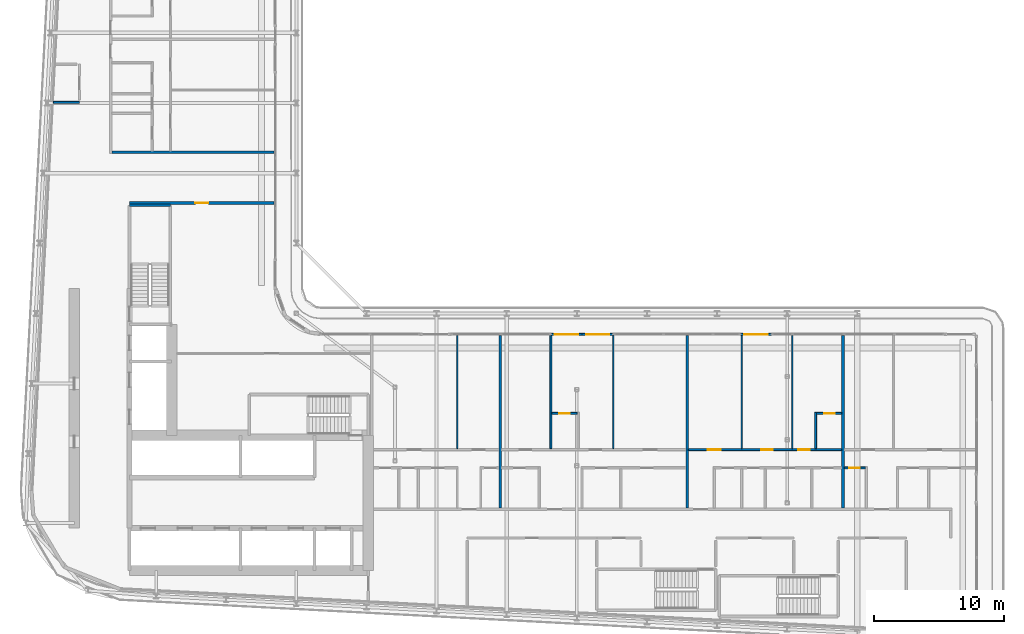
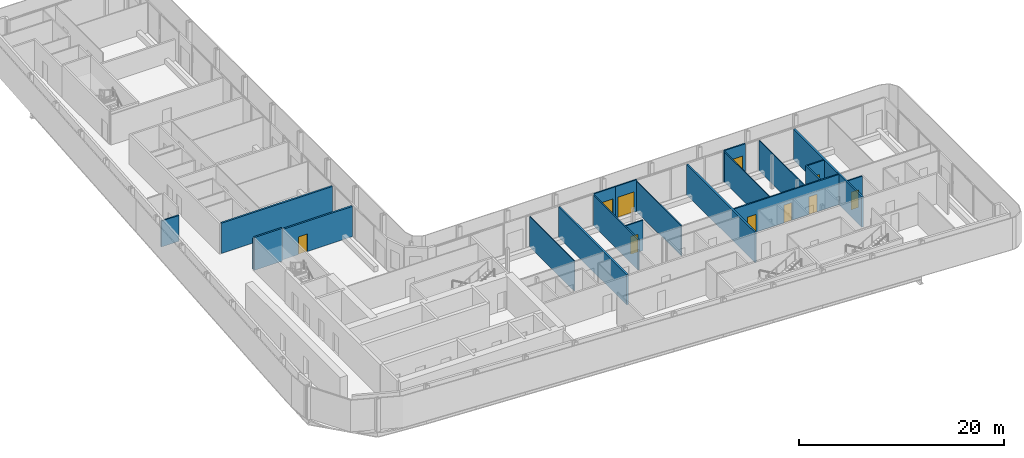
# One storey, part 18 of 29: 20 walls, 10 doors, 10 openings.
"""IFC4 building model written with IfcOpenShell, lengths in metres."""

from ifc_helpers import new_model, si_unit, direction, frame, frame_2d, origin, place, context, subcontext, project, spatial, rectangle, extrude, source, transform, mapped, material, layer, layer_set, type_object, element, fill, save


model = new_model("IFC4")

# Units and contexts
model_context = context("Model", 3, precision=1e-05, world=origin(), true_north=direction((0.0, 1.0)))
body_context = subcontext(model_context, "Body", "Model", "MODEL_VIEW")
ifc_project = project(units=[si_unit("LENGTHUNIT", "METRE"), si_unit("AREAUNIT", "SQUARE_METRE"), si_unit("VOLUMEUNIT", "CUBIC_METRE"), si_unit("PLANEANGLEUNIT", "RADIAN"), si_unit("MASSUNIT", "GRAM", prefix="KILO")], contexts=[model_context])

# Site, building, storey
site_placement = place(None, origin())
site = spatial("IfcSite", under=ifc_project, at=site_placement, CompositionType="ELEMENT")
building_placement = place(site_placement, origin())
building = spatial("IfcBuilding", under=site, at=building_placement, Name="Kheshtan School and Residences Tower", CompositionType="ELEMENT")
storey_placement = place(building_placement, frame((0.0, 0.0, 176.0)))
storey = spatial("IfcBuildingStorey", under=building, at=storey_placement, Name="L41", CompositionType="ELEMENT", Elevation=176.0)

# Wall
ifc_material_1 = material(Name="Gypsum board on steel studs with fire boards", Category="steel")
ifc_layer_1 = layer(ifc_material_1, 0.199951171875)
ifc_layer_set_1 = layer_set([ifc_layer_1], Name="Corridor wall 200")
wall_type_1 = type_object("IfcWallType", Name="Corridor wall 200", PredefinedType="PARTITIONING", material=ifc_layer_set_1)
wall_1_placement = place(storey_placement, frame((33.39990234375, 58.0, 0.0), z_axis=(0.0, 0.0, 1.0), x_axis=(1.0, 0.0, 0.0)))
element("IfcWall", 1, at=wall_1_placement, inside=storey, type_object=wall_type_1, Name="Partition L41-006", PredefinedType="PARTITIONING", context=body_context, shape_type="SweptSolid", body=[
    extrude(rectangle(XDim=12.5, YDim=0.199951171875, at=frame_2d((6.25, 0.0))), origin(), (0.0, 0.0, 1.0), 3.60009765625),
])

# Wall, opening, door
wall_2_placement = place(storey_placement, frame((34.75, 54.10009765625, 0.0), z_axis=(0.0, 0.0, 1.0), x_axis=(1.0, 0.0, 0.0)))
wall_2 = element("IfcWall", 2, at=wall_2_placement, inside=storey, type_object=wall_type_1, Name="Partition L41-017", PredefinedType="PARTITIONING", context=body_context, shape_type="SweptSolid", body=[
    extrude(rectangle(XDim=11.14990234375, YDim=0.199951171875, at=frame_2d((5.574951171875, 0.0))), origin(), (0.0, 0.0, 1.0), 3.60009765625),
])
opening_1_placement = place(wall_2_placement, frame((5.074951171875, 0.0, 0.0)))
opening_1 = element("IfcOpeningElement", 3, at=opening_1_placement, cuts=wall_2, Name="Opening D41-051", PredefinedType="OPENING", context=body_context, shape_type="SweptSolid", body=[
    extrude(rectangle(XDim=1.0, YDim=2.10009765625, at=frame_2d((0.5, 1.050048828125))), frame((0.0, 0.10986328125, 0.0), z_axis=(0.0, -1.0, 0.0), x_axis=(1.0, 0.0, 0.0)), (0.0, 0.0, 1.0), 0.219970703125),
])
ifc_material_2 = material(Name="Steel-framed fire-resisting door leaf", Category="steel")
door_type_1 = type_object("IfcDoorType", Name="Fire door FD60 1000 x 2100", OperationType="SINGLE_SWING_LEFT", PredefinedType="DOOR", material=ifc_material_2)
shared_shape_1 = source(origin(), body_context, "Body", "SweptSolid", [
    extrude(rectangle(XDim=1.0, YDim=2.10009765625, at=frame_2d((0.5, 1.050048828125))), frame((0.0, 0.02490234375, 0.0), z_axis=(0.0, -1.0, 0.0), x_axis=(1.0, 0.0, 0.0)), (0.0, 0.0, 1.0), 0.050048828125),
])
door_1_placement = place(opening_1_placement, origin())
door_1 = element("IfcDoor", 4, at=door_1_placement, inside=storey, type_object=door_type_1, Name="Door D41-051", OperationType="SINGLE_SWING_RIGHT", OverallHeight=2.10009765625, OverallWidth=1.0, PredefinedType="DOOR", context=body_context, shape_type="MappedRepresentation", body=[
    mapped(shared_shape_1, transform((0.0, 0.0, 0.0), x_axis=(1.0, 0.0, 0.0), y_axis=(0.0, 1.0, 0.0), z_axis=(0.0, 0.0, 1.0), scale=1.0)),
])
fill(opening_1, door_1)

ifc_material_3 = material(Name="Aluminium frame wall with insulated infill", Category="aluminium")
ifc_layer_2 = layer(ifc_material_3, 0.14990234375)
ifc_layer_set_2 = layer_set([ifc_layer_2], Name="Glazing frame wall 150")
wall_type_2 = type_object("IfcWallType", Name="Glazing frame wall 150", PredefinedType="SOLIDWALL", material=ifc_layer_set_2)
wall_3_placement = place(storey_placement, frame((67.218017578125, 43.97509765625, 0.0), z_axis=(0.0, 0.0, 1.0), x_axis=(1.0, 0.0, 0.0)))
wall_3 = element("IfcWall", 5, at=wall_3_placement, inside=storey, type_object=wall_type_2, Name="Balcony door wall L41 12.2", PredefinedType="SOLIDWALL", context=body_context, shape_type="SweptSolid", body=[
    extrude(rectangle(XDim=2.39990234375, YDim=0.14990234375, at=frame_2d((1.199951171875, 0.0))), origin(), (0.0, 0.0, 1.0), 3.75),
])
opening_2_placement = place(wall_3_placement, frame((0.300048828125, 0.0, 0.0)))
opening_2 = element("IfcOpeningElement", 6, at=opening_2_placement, cuts=wall_3, Name="Opening BD", PredefinedType="OPENING", context=body_context, shape_type="SweptSolid", body=[
    extrude(rectangle(XDim=1.800048828125, YDim=2.39990234375, at=frame_2d((0.89990234375, 1.199951171875))), frame((0.0, 0.0849609375, 0.0), z_axis=(0.0, -1.0, 0.0), x_axis=(1.0, 0.0, 0.0)), (0.0, 0.0, 1.0), 0.169921875),
])
ifc_material_4 = material(Name="Clear low-e glass in thermally broken aluminium frame", Category="aluminium")
door_type_2 = type_object("IfcDoorType", Name="Balcony sliding door", OperationType="SLIDING_TO_LEFT", PredefinedType="DOOR", material=ifc_material_4)
shared_shape_2 = source(origin(), body_context, "Body", "SweptSolid", [
    extrude(rectangle(XDim=1.800048828125, YDim=2.39990234375, at=frame_2d((0.89990234375, 1.199951171875))), frame((0.0, 0.02490234375, 0.0), z_axis=(0.0, -1.0, 0.0), x_axis=(1.0, 0.0, 0.0)), (0.0, 0.0, 1.0), 0.050048828125),
])
door_2_placement = place(opening_2_placement, origin())
door_2 = element("IfcDoor", 7, at=door_2_placement, inside=storey, type_object=door_type_2, Name="Balcony door L41 12.2", OperationType="SLIDING_TO_LEFT", OverallHeight=2.39990234375, OverallWidth=1.800048828125, PredefinedType="DOOR", context=body_context, shape_type="MappedRepresentation", body=[
    mapped(shared_shape_2, transform((0.0, 0.0, 0.0), x_axis=(1.0, 0.0, 0.0), y_axis=(0.0, 1.0, 0.0), z_axis=(0.0, 0.0, 1.0), scale=1.0)),
])
fill(opening_2, door_2)

wall_4_placement = place(storey_placement, frame((69.617919921875, 43.97509765625, 0.0), z_axis=(0.0, 0.0, 1.0), x_axis=(1.0, 0.0, 0.0)))
wall_4 = element("IfcWall", 8, at=wall_4_placement, inside=storey, type_object=wall_type_2, Name="Balcony door wall L41 12.3", PredefinedType="SOLIDWALL", context=body_context, shape_type="SweptSolid", body=[
    extrude(rectangle(XDim=2.400146484375, YDim=0.14990234375, at=frame_2d((1.2001953125, 0.0))), origin(), (0.0, 0.0, 1.0), 3.75),
])
opening_3_placement = place(wall_4_placement, frame((0.300048828125, 0.0, 0.0)))
opening_3 = element("IfcOpeningElement", 9, at=opening_3_placement, cuts=wall_4, Name="Opening BD", PredefinedType="OPENING", context=body_context, shape_type="SweptSolid", body=[
    extrude(rectangle(XDim=1.800048828125, YDim=2.39990234375, at=frame_2d((0.89990234375, 1.199951171875))), frame((0.0, 0.0849609375, 0.0), z_axis=(0.0, -1.0, 0.0), x_axis=(1.0, 0.0, 0.0)), (0.0, 0.0, 1.0), 0.169921875),
])
door_3_placement = place(opening_3_placement, origin())
door_3 = element("IfcDoor", 10, at=door_3_placement, inside=storey, type_object=door_type_2, Name="Balcony door L41 12.3", OperationType="SLIDING_TO_LEFT", OverallHeight=2.39990234375, OverallWidth=1.800048828125, PredefinedType="DOOR", context=body_context, shape_type="MappedRepresentation", body=[
    mapped(shared_shape_2, transform((0.0, 0.0, 0.0), x_axis=(1.0, 0.0, 0.0), y_axis=(0.0, 1.0, 0.0), z_axis=(0.0, 0.0, 1.0), scale=1.0)),
])
fill(opening_3, door_3)

wall_5_placement = place(storey_placement, frame((81.81201171875, 43.97509765625, 0.0), z_axis=(0.0, 0.0, 1.0), x_axis=(1.0, 0.0, 0.0)))
wall_5 = element("IfcWall", 11, at=wall_5_placement, inside=storey, type_object=wall_type_2, Name="Balcony door wall L41 12.4", PredefinedType="SOLIDWALL", context=body_context, shape_type="SweptSolid", body=[
    extrude(rectangle(XDim=2.39990234375, YDim=0.14990234375, at=frame_2d((1.199951171875, 0.0))), origin(), (0.0, 0.0, 1.0), 3.75),
])
opening_4_placement = place(wall_5_placement, frame((0.300048828125, 0.0, 0.0)))
opening_4 = element("IfcOpeningElement", 12, at=opening_4_placement, cuts=wall_5, Name="Opening BD", PredefinedType="OPENING", context=body_context, shape_type="SweptSolid", body=[
    extrude(rectangle(XDim=1.800048828125, YDim=2.39990234375, at=frame_2d((0.89990234375, 1.199951171875))), frame((0.0, 0.0849609375, 0.0), z_axis=(0.0, -1.0, 0.0), x_axis=(1.0, 0.0, 0.0)), (0.0, 0.0, 1.0), 0.169921875),
])
door_4_placement = place(opening_4_placement, origin())
door_4 = element("IfcDoor", 13, at=door_4_placement, inside=storey, type_object=door_type_2, Name="Balcony door L41 12.4", OperationType="SLIDING_TO_LEFT", OverallHeight=2.39990234375, OverallWidth=1.800048828125, PredefinedType="DOOR", context=body_context, shape_type="MappedRepresentation", body=[
    mapped(shared_shape_2, transform((0.0, 0.0, 0.0), x_axis=(1.0, 0.0, 0.0), y_axis=(0.0, 1.0, 0.0), z_axis=(0.0, 0.0, 1.0), scale=1.0)),
])
fill(opening_4, door_4)

# Walls
ifc_material_5 = material(Name="Gypsum board on steel studs", Category="steel")
ifc_layer_3 = layer(ifc_material_5, 0.10009765625)
ifc_layer_set_3 = layer_set([ifc_layer_3], Name="Gypsum partition 100")
wall_type_3 = type_object("IfcWallType", Name="Gypsum partition 100", PredefinedType="PARTITIONING", material=ifc_layer_set_3)
for number, where, z_axis, x_axis, name in (
    (14, (60.0, 35.175048828125, 0.0), (0.0, 0.0, 1.0), (0.0, 1.0, 0.0), "Partition L41-038"),
    (15, (72.0, 35.175048828125, 0.0), (0.0, 0.0, 1.0), (0.0, 1.0, 0.0), "Partition L41-050"),
    (16, (81.89990234375, 35.175048828125, 0.0), (0.0, 0.0, 1.0), (0.0, 1.0, 0.0), "Partition L41-057"),
    (17, (85.800048828125, 35.175048828125, 0.0), (0.0, 0.0, 1.0), (0.0, 1.0, 0.0), "Partition L41-059"),
):
    element("IfcWall", number, at=place(storey_placement, frame(where, z_axis=z_axis, x_axis=x_axis)), inside=storey, type_object=wall_type_3, Name=name, PredefinedType="PARTITIONING", context=body_context, shape_type="SweptSolid", body=[
        extrude(rectangle(XDim=8.724853515625, YDim=0.10009765625, at=frame_2d((4.3623046875, 0.0))), origin(), (0.0, 0.0, 1.0), 3.60009765625),
    ])
ifc_material_6 = material(Name="Fire-board shaft wall system")
ifc_layer_4 = layer(ifc_material_6, 0.14990234375)
ifc_layer_set_4 = layer_set([ifc_layer_4], Name="Service room wall 150")
wall_type_4 = type_object("IfcWallType", Name="Service room wall 150", PredefinedType="PARTITIONING", material=ifc_layer_set_4)
wall_6_placement = place(storey_placement, frame((28.89501953125, 61.85107421875, 0.0), z_axis=(0.0, 0.0, 1.0), x_axis=(1.0, 0.0, 0.0)))
element("IfcWall", 18, at=wall_6_placement, inside=storey, type_object=wall_type_4, Name="Service room wall", PredefinedType="PARTITIONING", context=body_context, shape_type="SweptSolid", body=[
    extrude(rectangle(XDim=2.0048828125, YDim=0.14990234375, at=frame_2d((1.00244140625, 0.0))), origin(), (0.0, 0.0, 1.0), 3.072021484375),
])
ifc_material_7 = material(Name="Concrete C40/50", Category="concrete")
ifc_layer_5 = layer(ifc_material_7, 0.199951171875)
ifc_layer_set_5 = layer_set([ifc_layer_5], Name="Stair enclosure wall 200 Concrete C40/50")
wall_type_5 = type_object("IfcWallType", Name="Stair enclosure wall 200 Concrete C40/50", PredefinedType="SHEAR", material=ifc_layer_set_5)
wall_7_placement = place(storey_placement, frame((34.75, 53.909912109375, 0.0), z_axis=(0.0, 0.0, 1.0), x_axis=(1.0, 0.0, 0.0)))
element("IfcWall", 19, at=wall_7_placement, inside=storey, type_object=wall_type_5, Name="Stair enclosure wall ST2", PredefinedType="SHEAR", context=body_context, shape_type="SweptSolid", body=[
    extrude(rectangle(XDim=3.14990234375, YDim=0.199951171875, at=frame_2d((1.574951171875, 0.0))), origin(), (0.0, 0.0, 1.0), 3.89990234375),
])
ifc_material_8 = material(Name="Twin gypsum board on steel studs with mineral wool", Category="steel")
ifc_layer_6 = layer(ifc_material_8, 0.199951171875)
ifc_layer_set_6 = layer_set([ifc_layer_6], Name="Unit demising wall 200")
wall_type_6 = type_object("IfcWallType", Name="Unit demising wall 200", PredefinedType="PARTITIONING", material=ifc_layer_set_6)
for number, where, z_axis, x_axis, name in (
    (20, (63.300048828125, 30.60009765625, 0.0), (0.0, 0.0, 1.0), (0.0, 1.0, 0.0), "Partition L41-041"),
    (21, (77.699951171875, 30.60009765625, 0.0), (0.0, 0.0, 1.0), (0.0, 1.0, 0.0), "Partition L41-052"),
    (22, (89.699951171875, 30.60009765625, 0.0), (0.0, 0.0, 1.0), (0.0, 1.0, 0.0), "Partition L41-063"),
):
    element("IfcWall", number, at=place(storey_placement, frame(where, z_axis=z_axis, x_axis=x_axis)), inside=storey, type_object=wall_type_6, Name=name, PredefinedType="PARTITIONING", context=body_context, shape_type="SweptSolid", body=[
        extrude(rectangle(XDim=13.2998046875, YDim=0.199951171875, at=frame_2d((6.64990234375, 0.0))), origin(), (0.0, 0.0, 1.0), 3.60009765625),
    ])
ifc_material_9 = material(Name="Moisture-resistant gypsum board on steel studs", Category="steel")
ifc_layer_7 = layer(ifc_material_9, 0.14990234375)
ifc_layer_set_7 = layer_set([ifc_layer_7], Name="Wet-room partition 150")
wall_type_7 = type_object("IfcWallType", Name="Wet-room partition 150", PredefinedType="PARTITIONING", material=ifc_layer_set_7)
wall_8_placement = place(storey_placement, frame((67.199951171875, 35.175048828125, 0.0), z_axis=(0.0, 0.0, 1.0), x_axis=(0.0, 1.0, 0.0)))
element("IfcWall", 23, at=wall_8_placement, inside=storey, type_object=wall_type_7, Name="Partition L41-045", PredefinedType="PARTITIONING", context=body_context, shape_type="SweptSolid", body=[
    extrude(rectangle(XDim=8.724853515625, YDim=0.14990234375, at=frame_2d((4.3623046875, 0.0))), origin(), (0.0, 0.0, 1.0), 3.60009765625),
])

# Wall, opening, door
wall_9_placement = place(storey_placement, frame((67.27490234375, 37.89990234375, 0.0), z_axis=(0.0, 0.0, 1.0), x_axis=(1.0, 0.0, 0.0)))
wall_9 = element("IfcWall", 24, at=wall_9_placement, inside=storey, type_object=wall_type_7, Name="Partition L41-046", PredefinedType="PARTITIONING", context=body_context, shape_type="SweptSolid", body=[
    extrude(rectangle(XDim=1.9501953125, YDim=0.14990234375, at=frame_2d((0.97509765625, 0.0))), origin(), (0.0, 0.0, 1.0), 3.60009765625),
])
opening_5_placement = place(wall_9_placement, frame((0.574951171875, 0.0, 0.0)))
opening_5 = element("IfcOpeningElement", 25, at=opening_5_placement, cuts=wall_9, Name="Opening D41-010", PredefinedType="OPENING", context=body_context, shape_type="SweptSolid", body=[
    extrude(rectangle(XDim=0.800048828125, YDim=2.10009765625, at=frame_2d((0.39990234375, 1.050048828125))), frame((0.0, 0.0849609375, 0.0), z_axis=(0.0, -1.0, 0.0), x_axis=(1.0, 0.0, 0.0)), (0.0, 0.0, 1.0), 0.169921875),
])
ifc_material_10 = material(Name="Veneered timber door leaf", Category="wood")
door_type_3 = type_object("IfcDoorType", Name="Door 800 x 2100", OperationType="SINGLE_SWING_LEFT", PredefinedType="DOOR", material=ifc_material_10)
shared_shape_3 = source(origin(), body_context, "Body", "SweptSolid", [
    extrude(rectangle(XDim=0.800048828125, YDim=2.10009765625, at=frame_2d((0.39990234375, 1.050048828125))), frame((0.0, 0.02490234375, 0.0), z_axis=(0.0, -1.0, 0.0), x_axis=(1.0, 0.0, 0.0)), (0.0, 0.0, 1.0), 0.050048828125),
])
door_5_placement = place(opening_5_placement, origin())
door_5 = element("IfcDoor", 26, at=door_5_placement, inside=storey, type_object=door_type_3, Name="Door D41-010", OperationType="SINGLE_SWING_LEFT", OverallHeight=2.10009765625, OverallWidth=0.800048828125, PredefinedType="DOOR", context=body_context, shape_type="MappedRepresentation", body=[
    mapped(shared_shape_3, transform((0.0, 0.0, 0.0), x_axis=(1.0, 0.0, 0.0), y_axis=(0.0, 1.0, 0.0), z_axis=(0.0, 0.0, 1.0), scale=1.0)),
])
fill(opening_5, door_5)

# Wall, openings, doors
wall_10_placement = place(storey_placement, frame((77.800048828125, 35.10009765625, 0.0), z_axis=(0.0, 0.0, 1.0), x_axis=(1.0, 0.0, 0.0)))
wall_10 = element("IfcWall", 27, at=wall_10_placement, inside=storey, type_object=wall_type_7, Name="Partition L41-053", PredefinedType="PARTITIONING", context=body_context, shape_type="SweptSolid", body=[
    extrude(rectangle(XDim=11.800048828125, YDim=0.14990234375, at=frame_2d((5.89990234375, 0.0))), origin(), (0.0, 0.0, 1.0), 3.60009765625),
])
opening_6_placement = place(wall_10_placement, frame((5.60009765625, 0.0, 0.0)))
opening_6 = element("IfcOpeningElement", 28, at=opening_6_placement, cuts=wall_10, Name="Opening D41-017", PredefinedType="OPENING", context=body_context, shape_type="SweptSolid", body=[
    extrude(rectangle(XDim=0.89990234375, YDim=2.10009765625, at=frame_2d((0.449951171875, 1.050048828125))), frame((0.0, 0.0849609375, 0.0), z_axis=(0.0, -1.0, 0.0), x_axis=(1.0, 0.0, 0.0)), (0.0, 0.0, 1.0), 0.169921875),
])
opening_7_placement = place(wall_10_placement, frame((1.5, 0.0, 0.0)))
opening_7 = element("IfcOpeningElement", 29, at=opening_7_placement, cuts=wall_10, Name="Opening D41-022", PredefinedType="OPENING", context=body_context, shape_type="SweptSolid", body=[
    extrude(rectangle(XDim=1.0, YDim=2.10009765625, at=frame_2d((0.5, 1.050048828125))), frame((0.0, 0.0849609375, 0.0), z_axis=(0.0, -1.0, 0.0), x_axis=(1.0, 0.0, 0.0)), (0.0, 0.0, 1.0), 0.169921875),
])
opening_8_placement = place(wall_10_placement, frame((8.449951171875, 0.0, 0.0)))
opening_8 = element("IfcOpeningElement", 30, at=opening_8_placement, cuts=wall_10, Name="Opening D41-023", PredefinedType="OPENING", context=body_context, shape_type="SweptSolid", body=[
    extrude(rectangle(XDim=0.89990234375, YDim=2.10009765625, at=frame_2d((0.449951171875, 1.050048828125))), frame((0.0, 0.0849609375, 0.0), z_axis=(0.0, -1.0, 0.0), x_axis=(1.0, 0.0, 0.0)), (0.0, 0.0, 1.0), 0.169921875),
])
door_type_4 = type_object("IfcDoorType", Name="Door 1000 x 2100", OperationType="SINGLE_SWING_LEFT", PredefinedType="DOOR", material=ifc_material_10)
shared_shape_4 = source(origin(), body_context, "Body", "SweptSolid", [
    extrude(rectangle(XDim=1.0, YDim=2.10009765625, at=frame_2d((0.5, 1.050048828125))), frame((0.0, 0.02490234375, 0.0), z_axis=(0.0, -1.0, 0.0), x_axis=(1.0, 0.0, 0.0)), (0.0, 0.0, 1.0), 0.050048828125),
])
door_6_placement = place(opening_7_placement, origin())
door_6 = element("IfcDoor", 31, at=door_6_placement, inside=storey, type_object=door_type_4, Name="Door D41-022", OperationType="SINGLE_SWING_RIGHT", OverallHeight=2.10009765625, OverallWidth=1.0, PredefinedType="DOOR", context=body_context, shape_type="MappedRepresentation", body=[
    mapped(shared_shape_4, transform((0.0, 0.0, 0.0), x_axis=(1.0, 0.0, 0.0), y_axis=(0.0, 1.0, 0.0), z_axis=(0.0, 0.0, 1.0), scale=1.0)),
])
fill(opening_7, door_6)
door_type_5 = type_object("IfcDoorType", Name="Door 900 x 2100", OperationType="SINGLE_SWING_LEFT", PredefinedType="DOOR", material=ifc_material_10)
shared_shape_5 = source(origin(), body_context, "Body", "SweptSolid", [
    extrude(rectangle(XDim=0.89990234375, YDim=2.10009765625, at=frame_2d((0.449951171875, 1.050048828125))), frame((0.0, 0.02490234375, 0.0), z_axis=(0.0, -1.0, 0.0), x_axis=(1.0, 0.0, 0.0)), (0.0, 0.0, 1.0), 0.050048828125),
])
door_7_placement = place(opening_6_placement, origin())
door_7 = element("IfcDoor", 32, at=door_7_placement, inside=storey, type_object=door_type_5, Name="Door D41-017", OperationType="SINGLE_SWING_LEFT", OverallHeight=2.10009765625, OverallWidth=0.89990234375, PredefinedType="DOOR", context=body_context, shape_type="MappedRepresentation", body=[
    mapped(shared_shape_5, transform((0.0, 0.0, 0.0), x_axis=(1.0, 0.0, 0.0), y_axis=(0.0, 1.0, 0.0), z_axis=(0.0, 0.0, 1.0), scale=1.0)),
])
fill(opening_6, door_7)
door_8_placement = place(opening_8_placement, origin())
door_8 = element("IfcDoor", 33, at=door_8_placement, inside=storey, type_object=door_type_5, Name="Door D41-023", OperationType="SINGLE_SWING_LEFT", OverallHeight=2.10009765625, OverallWidth=0.89990234375, PredefinedType="DOOR", context=body_context, shape_type="MappedRepresentation", body=[
    mapped(shared_shape_5, transform((0.0, 0.0, 0.0), x_axis=(1.0, 0.0, 0.0), y_axis=(0.0, 1.0, 0.0), z_axis=(0.0, 0.0, 1.0), scale=1.0)),
])
fill(opening_8, door_8)

# Wall
wall_11_placement = place(storey_placement, frame((87.60009765625, 35.175048828125, 0.0), z_axis=(0.0, 0.0, 1.0), x_axis=(0.0, 1.0, 0.0)))
element("IfcWall", 34, at=wall_11_placement, inside=storey, type_object=wall_type_7, Name="Partition L41-061", PredefinedType="PARTITIONING", context=body_context, shape_type="SweptSolid", body=[
    extrude(rectangle(XDim=2.800048828125, YDim=0.14990234375, at=frame_2d((1.39990234375, 0.0))), origin(), (0.0, 0.0, 1.0), 3.60009765625),
])

# Wall, opening, door
wall_12_placement = place(storey_placement, frame((87.675048828125, 37.89990234375, 0.0), z_axis=(0.0, 0.0, 1.0), x_axis=(1.0, 0.0, 0.0)))
wall_12 = element("IfcWall", 35, at=wall_12_placement, inside=storey, type_object=wall_type_7, Name="Partition L41-062", PredefinedType="PARTITIONING", context=body_context, shape_type="SweptSolid", body=[
    extrude(rectangle(XDim=1.925048828125, YDim=0.14990234375, at=frame_2d((0.96240234375, 0.0))), origin(), (0.0, 0.0, 1.0), 3.60009765625),
])
opening_9_placement = place(wall_12_placement, frame((0.574951171875, 0.0, 0.0)))
opening_9 = element("IfcOpeningElement", 36, at=opening_9_placement, cuts=wall_12, Name="Opening D41-018", PredefinedType="OPENING", context=body_context, shape_type="SweptSolid", body=[
    extrude(rectangle(XDim=0.800048828125, YDim=2.10009765625, at=frame_2d((0.39990234375, 1.050048828125))), frame((0.0, 0.0849609375, 0.0), z_axis=(0.0, -1.0, 0.0), x_axis=(1.0, 0.0, 0.0)), (0.0, 0.0, 1.0), 0.169921875),
])
door_9_placement = place(opening_9_placement, origin())
door_9 = element("IfcDoor", 37, at=door_9_placement, inside=storey, type_object=door_type_3, Name="Door D41-018", OperationType="SINGLE_SWING_LEFT", OverallHeight=2.10009765625, OverallWidth=0.800048828125, PredefinedType="DOOR", context=body_context, shape_type="MappedRepresentation", body=[
    mapped(shared_shape_3, transform((0.0, 0.0, 0.0), x_axis=(1.0, 0.0, 0.0), y_axis=(0.0, 1.0, 0.0), z_axis=(0.0, 0.0, 1.0), scale=1.0)),
])
fill(opening_9, door_9)

wall_13_placement = place(storey_placement, frame((89.800048828125, 33.699951171875, 0.0), z_axis=(0.0, 0.0, 1.0), x_axis=(1.0, 0.0, 0.0)))
wall_13 = element("IfcWall", 38, at=wall_13_placement, inside=storey, type_object=wall_type_7, Name="Partition L41-064", PredefinedType="PARTITIONING", context=body_context, shape_type="SweptSolid", body=[
    extrude(rectangle(XDim=1.625, YDim=0.14990234375, at=frame_2d((0.8125, 0.0))), origin(), (0.0, 0.0, 1.0), 3.60009765625),
])
opening_10_placement = place(wall_13_placement, frame((0.39990234375, 0.0, 0.0)))
opening_10 = element("IfcOpeningElement", 39, at=opening_10_placement, cuts=wall_13, Name="Opening D41-030", PredefinedType="OPENING", context=body_context, shape_type="SweptSolid", body=[
    extrude(rectangle(XDim=0.800048828125, YDim=2.10009765625, at=frame_2d((0.39990234375, 1.050048828125))), frame((0.0, 0.0849609375, 0.0), z_axis=(0.0, -1.0, 0.0), x_axis=(1.0, 0.0, 0.0)), (0.0, 0.0, 1.0), 0.169921875),
])
door_10_placement = place(opening_10_placement, origin())
door_10 = element("IfcDoor", 40, at=door_10_placement, inside=storey, type_object=door_type_3, Name="Door D41-030", OperationType="SINGLE_SWING_LEFT", OverallHeight=2.10009765625, OverallWidth=0.800048828125, PredefinedType="DOOR", context=body_context, shape_type="MappedRepresentation", body=[
    mapped(shared_shape_3, transform((0.0, 0.0, 0.0), x_axis=(1.0, 0.0, 0.0), y_axis=(0.0, 1.0, 0.0), z_axis=(0.0, 0.0, 1.0), scale=1.0)),
])
fill(opening_10, door_10)

save(model, "model.ifc")
